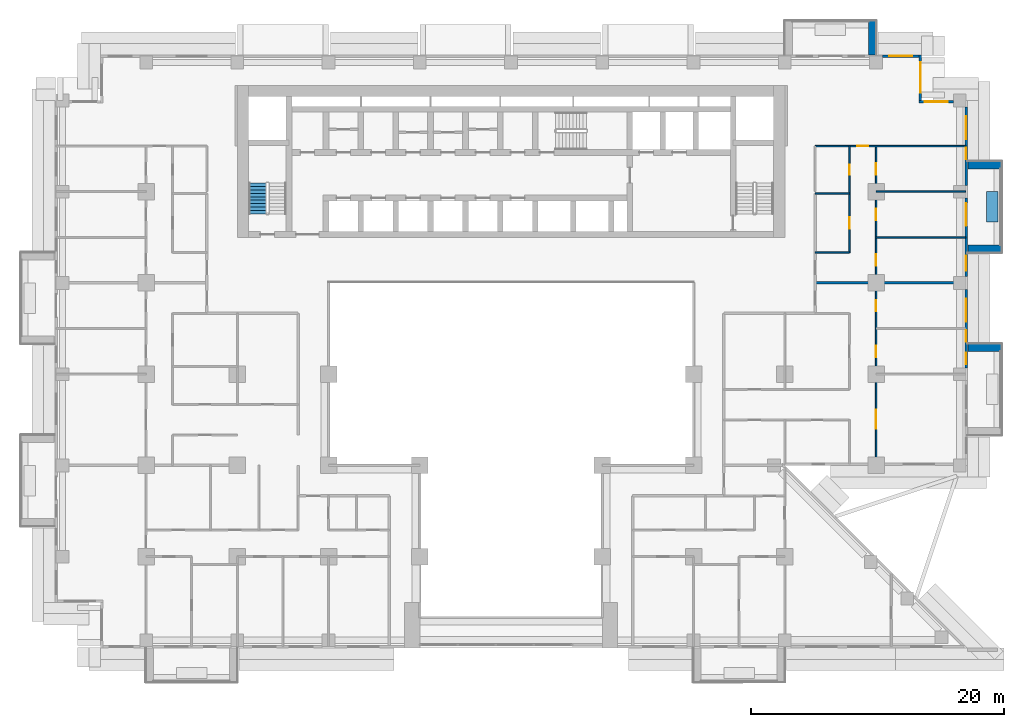
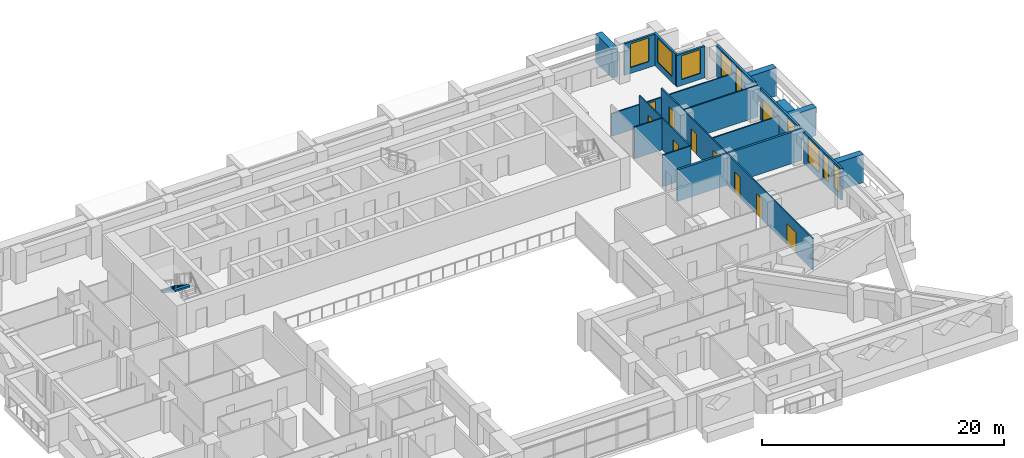
# One storey, part 12 of 17: 19 walls, 10 doors, 9 windows, 1 stair flight, 19 openings, 1 element without a shape of its own.
"""IFC4 building model written with IfcOpenShell, lengths in metres."""

from ifc_helpers import new_model, si_unit, direction, frame, frame_2d, origin, place, context, subcontext, project, spatial, polyline, rectangle, outline, extrude, material, layer, layer_set, type_object, element, fill, aggregate, save


model = new_model("IFC4")

# Units and contexts
model_context = context("Model", 3, precision=1e-05, world=origin(), true_north=direction((0.0, 1.0)))
body_context = subcontext(model_context, "Body", "Model", "MODEL_VIEW")
ifc_project = project(units=[si_unit("LENGTHUNIT", "METRE"), si_unit("AREAUNIT", "SQUARE_METRE"), si_unit("VOLUMEUNIT", "CUBIC_METRE"), si_unit("PLANEANGLEUNIT", "RADIAN"), si_unit("MASSUNIT", "GRAM", prefix="KILO")], contexts=[model_context])

# Site, building, storey
site_placement = place(None, origin())
site = spatial("IfcSite", under=ifc_project, at=site_placement, CompositionType="ELEMENT")
building_placement = place(site_placement, origin())
building = spatial("IfcBuilding", under=site, at=building_placement, Name="Saffron Iwan Residences", CompositionType="ELEMENT")
storey_placement = place(building_placement, frame((0.0, 0.0, 72.5)))
storey = spatial("IfcBuildingStorey", under=building, at=storey_placement, Name="L18", CompositionType="ELEMENT", Elevation=72.5)

# Walls
ifc_material_1 = material(Name="Concrete C50/60 white painted", Category="concrete")
ifc_layer_1 = layer(ifc_material_1, 0.60009765625)
ifc_layer_set_1 = layer_set([ifc_layer_1], Name="Concrete C50/60 white painted")
wall_type_1 = type_object("IfcWallType", Name="BALCONY FIN 600", PredefinedType="SOLIDWALL", material=ifc_layer_set_1)
for number, where, z_axis, x_axis, name in (
    (1, (86.449951171875, 57.300048828125, 0.0), (0.0, 0.0, 1.0), (1.0, 0.0, 0.0), "Balcony fin L18 F2-0b"),
    (2, (86.449951171875, 65.10009765625, 0.0), (0.0, 0.0, 1.0), (1.0, 0.0, 0.0), "Balcony fin L18 F2-1a"),
    (3, (86.449951171875, 71.699951171875, 0.0), (0.0, 0.0, 1.0), (1.0, 0.0, 0.0), "Balcony fin L18 F2-1b"),
):
    element("IfcWall", number, at=place(storey_placement, frame(where, z_axis=z_axis, x_axis=x_axis)), inside=storey, type_object=wall_type_1, Name=name, PredefinedType="SOLIDWALL", context=body_context, shape_type="SweptSolid", body=[
        extrude(rectangle(XDim=2.650146484375, YDim=0.60009765625, at=frame_2d((1.3251953125, 0.0))), origin(), (0.0, 0.0, 1.0), 2.85009765625),
    ])
wall_1_placement = place(storey_placement, frame((78.89990234375, 80.39990234375, 0.0), z_axis=(0.0, 0.0, 1.0), x_axis=(0.0, 1.0, 0.0)))
element("IfcWall", 4, at=wall_1_placement, inside=storey, type_object=wall_type_1, Name="Balcony fin L18 F5-0a", PredefinedType="SOLIDWALL", context=body_context, shape_type="SweptSolid", body=[
    extrude(rectangle(XDim=2.7001953125, YDim=0.60009765625, at=frame_2d((1.35009765625, 0.0))), origin(), (0.0, 0.0, 1.0), 2.85009765625),
])
ifc_material_2 = material(Name="Concrete C35/45 white painted", Category="concrete")
ifc_layer_2 = layer(ifc_material_2, 0.14990234375)
ifc_layer_set_2 = layer_set([ifc_layer_2], Name="Concrete C35/45 white painted")
wall_type_2 = type_object("IfcWallType", Name="BALCONY PLANTER", PredefinedType="SOLIDWALL", material=ifc_layer_set_2)
wall_2_placement = place(storey_placement, frame((88.375, 67.199951171875, 0.0), z_axis=(0.0, 0.0, 1.0), x_axis=(0.0, 1.0, 0.0)))
element("IfcWall", 5, at=wall_2_placement, inside=storey, type_object=wall_type_2, Name="PLANTER L18 F2-1", PredefinedType="SOLIDWALL", context=body_context, shape_type="SweptSolid", body=[
    extrude(rectangle(XDim=2.400146484375, YDim=0.89990234375, at=frame_2d((1.2001953125, 0.0))), origin(), (0.0, 0.0, 1.0), 0.89990234375),
])

# Wall, openings, windows
ifc_material_3 = material(Name="Concrete C40/50", Category="concrete")
ifc_layer_3 = layer(ifc_material_3, 0.199951171875)
ifc_layer_set_3 = layer_set([ifc_layer_3], Name="Concrete C40/50")
wall_type_3 = type_object("IfcWallType", Name="EXTERNAL WALL 200", PredefinedType="SOLIDWALL", material=ifc_layer_set_3)
wall_3_placement = place(storey_placement, frame((86.300048828125, 55.699951171875, 0.0), z_axis=(0.0, 0.0, 1.0), x_axis=(0.0, 1.0, 0.0)))
wall_3 = element("IfcWall", 6, at=wall_3_placement, inside=storey, type_object=wall_type_3, Name="External wall L18 F2.1", PredefinedType="SOLIDWALL", context=body_context, shape_type="SweptSolid", body=[
    extrude(rectangle(XDim=6.199951171875, YDim=0.199951171875, at=frame_2d((3.10009765625, 0.0))), origin(), (0.0, 0.0, 1.0), 3.179931640625),
])
opening_1_placement = place(wall_3_placement, frame((0.300048828125, 0.0, 0.60009765625)))
opening_1 = element("IfcOpeningElement", 7, at=opening_1_placement, cuts=wall_3, Name="Opening W10", PredefinedType="OPENING", context=body_context, shape_type="SweptSolid", body=[
    extrude(rectangle(XDim=0.89990234375, YDim=2.39990234375, at=frame_2d((0.449951171875, 1.199951171875))), frame((0.0, 0.10986328125, 0.0), z_axis=(0.0, -1.0, 0.0), x_axis=(1.0, 0.0, 0.0)), (0.0, 0.0, 1.0), 0.219970703125),
])
opening_2_placement = place(wall_3_placement, frame((2.050048828125, 0.0, 0.60009765625)))
opening_2 = element("IfcOpeningElement", 8, at=opening_2_placement, cuts=wall_3, Name="Opening W10", PredefinedType="OPENING", context=body_context, shape_type="SweptSolid", body=[
    extrude(rectangle(XDim=0.89990234375, YDim=2.39990234375, at=frame_2d((0.449951171875, 1.199951171875))), frame((0.0, 0.10986328125, 0.0), z_axis=(0.0, -1.0, 0.0), x_axis=(1.0, 0.0, 0.0)), (0.0, 0.0, 1.0), 0.219970703125),
])
opening_3_placement = place(wall_3_placement, frame((3.64990234375, 0.0, 0.60009765625)))
opening_3 = element("IfcOpeningElement", 9, at=opening_3_placement, cuts=wall_3, Name="Opening W8", PredefinedType="OPENING", context=body_context, shape_type="SweptSolid", body=[
    extrude(rectangle(XDim=1.800048828125, YDim=2.39990234375, at=frame_2d((0.89990234375, 1.199951171875))), frame((0.0, 0.10986328125, 0.0), z_axis=(0.0, -1.0, 0.0), x_axis=(1.0, 0.0, 0.0)), (0.0, 0.0, 1.0), 0.219970703125),
])
ifc_material_4 = material(Name="Clear glass, laminated double glazed", Category="glass")
window_type_1 = type_object("IfcWindowType", Name="WINDOW 1800 x 2400", PartitioningType="DOUBLE_PANEL_VERTICAL", PredefinedType="WINDOW", material=ifc_material_4)
window_1_placement = place(opening_3_placement, origin())
window_1 = element("IfcWindow", 10, at=window_1_placement, inside=storey, type_object=window_type_1, Name="Window L18 F2.2", OverallHeight=2.39990234375, OverallWidth=1.800048828125, PartitioningType="DOUBLE_PANEL_VERTICAL", PredefinedType="WINDOW", context=body_context, shape_type="SweptSolid", body=[
    extrude(rectangle(XDim=1.800048828125, YDim=2.39990234375, at=frame_2d((0.89990234375, 1.199951171875))), frame((0.0, 0.030029296875, 0.0), z_axis=(0.0, -1.0, 0.0), x_axis=(1.0, 0.0, 0.0)), (0.0, 0.0, 1.0), 0.06005859375),
])
fill(opening_3, window_1)
window_type_2 = type_object("IfcWindowType", Name="WINDOW 900 x 2400", PartitioningType="SINGLE_PANEL", PredefinedType="WINDOW", material=ifc_material_4)
window_2_placement = place(opening_1_placement, origin())
window_2 = element("IfcWindow", 11, at=window_2_placement, inside=storey, type_object=window_type_2, Name="Window L18 F2.0", OverallHeight=2.39990234375, OverallWidth=0.89990234375, PartitioningType="SINGLE_PANEL", PredefinedType="WINDOW", context=body_context, shape_type="SweptSolid", body=[
    extrude(rectangle(XDim=0.89990234375, YDim=2.39990234375, at=frame_2d((0.449951171875, 1.199951171875))), frame((0.0, 0.030029296875, 0.0), z_axis=(0.0, -1.0, 0.0), x_axis=(1.0, 0.0, 0.0)), (0.0, 0.0, 1.0), 0.06005859375),
])
fill(opening_1, window_2)
window_3_placement = place(opening_2_placement, origin())
window_3 = element("IfcWindow", 12, at=window_3_placement, inside=storey, type_object=window_type_2, Name="Window L18 F2.1", OverallHeight=2.39990234375, OverallWidth=0.89990234375, PartitioningType="SINGLE_PANEL", PredefinedType="WINDOW", context=body_context, shape_type="SweptSolid", body=[
    extrude(rectangle(XDim=0.89990234375, YDim=2.39990234375, at=frame_2d((0.449951171875, 1.199951171875))), frame((0.0, 0.030029296875, 0.0), z_axis=(0.0, -1.0, 0.0), x_axis=(1.0, 0.0, 0.0)), (0.0, 0.0, 1.0), 0.06005859375),
])
fill(opening_2, window_3)

# Wall, openings, door, window
wall_4_placement = place(storey_placement, frame((86.300048828125, 62.89990234375, 0.0), z_axis=(0.0, 0.0, 1.0), x_axis=(0.0, 1.0, 0.0)))
wall_4 = element("IfcWall", 13, at=wall_4_placement, inside=storey, type_object=wall_type_3, Name="External wall L18 F2.2", PredefinedType="SOLIDWALL", context=body_context, shape_type="SweptSolid", body=[
    extrude(rectangle(XDim=6.2001953125, YDim=0.199951171875, at=frame_2d((3.10009765625, 0.0))), origin(), (0.0, 0.0, 1.0), 3.179931640625),
])
opening_4_placement = place(wall_4_placement, frame((4.0, 0.0, 0.0)))
opening_4 = element("IfcOpeningElement", 14, at=opening_4_placement, cuts=wall_4, Name="Opening BD1", PredefinedType="OPENING", context=body_context, shape_type="SweptSolid", body=[
    extrude(rectangle(XDim=1.800048828125, YDim=2.39990234375, at=frame_2d((0.89990234375, 1.199951171875))), frame((0.0, 0.10986328125, 0.0), z_axis=(0.0, -1.0, 0.0), x_axis=(1.0, 0.0, 0.0)), (0.0, 0.0, 1.0), 0.219970703125),
])
opening_5_placement = place(wall_4_placement, frame((0.449951171875, 0.0, 0.60009765625)))
opening_5 = element("IfcOpeningElement", 15, at=opening_5_placement, cuts=wall_4, Name="Opening W3", PredefinedType="OPENING", context=body_context, shape_type="SweptSolid", body=[
    extrude(rectangle(XDim=1.199951171875, YDim=2.39990234375, at=frame_2d((0.60009765625, 1.199951171875))), frame((0.0, 0.10986328125, 0.0), z_axis=(0.0, -1.0, 0.0), x_axis=(1.0, 0.0, 0.0)), (0.0, 0.0, 1.0), 0.219970703125),
])
door_type_1 = type_object("IfcDoorType", Name="BALCONY DOOR 1800 x 2400", OperationType="DOUBLE_DOOR_SLIDING", PredefinedType="DOOR", material=ifc_material_4)
door_1_placement = place(opening_4_placement, origin())
door_1 = element("IfcDoor", 16, at=door_1_placement, inside=storey, type_object=door_type_1, Name="Balcony door L18 F2.0", OperationType="DOUBLE_DOOR_SLIDING", OverallHeight=2.39990234375, OverallWidth=1.800048828125, PredefinedType="DOOR", context=body_context, shape_type="SweptSolid", body=[
    extrude(rectangle(XDim=1.800048828125, YDim=2.39990234375, at=frame_2d((0.89990234375, 1.199951171875))), frame((0.0, 0.02490234375, 0.0), z_axis=(0.0, -1.0, 0.0), x_axis=(1.0, 0.0, 0.0)), (0.0, 0.0, 1.0), 0.050048828125),
])
fill(opening_4, door_1)
window_type_3 = type_object("IfcWindowType", Name="WINDOW 1200 x 2400", PartitioningType="SINGLE_PANEL", PredefinedType="WINDOW", material=ifc_material_4)
window_4_placement = place(opening_5_placement, origin())
window_4 = element("IfcWindow", 17, at=window_4_placement, inside=storey, type_object=window_type_3, Name="Window L18 F2.1", OverallHeight=2.39990234375, OverallWidth=1.199951171875, PartitioningType="SINGLE_PANEL", PredefinedType="WINDOW", context=body_context, shape_type="SweptSolid", body=[
    extrude(rectangle(XDim=1.199951171875, YDim=2.39990234375, at=frame_2d((0.60009765625, 1.199951171875))), frame((0.0, 0.030029296875, 0.0), z_axis=(0.0, -1.0, 0.0), x_axis=(1.0, 0.0, 0.0)), (0.0, 0.0, 1.0), 0.06005859375),
])
fill(opening_5, window_4)

# Wall, openings, windows
wall_5_placement = place(storey_placement, frame((86.300048828125, 70.10009765625, 0.0), z_axis=(0.0, 0.0, 1.0), x_axis=(0.0, 1.0, 0.0)))
wall_5 = element("IfcWall", 18, at=wall_5_placement, inside=storey, type_object=wall_type_3, Name="External wall L18 F2.3", PredefinedType="SOLIDWALL", context=body_context, shape_type="SweptSolid", body=[
    extrude(rectangle(XDim=6.199951171875, YDim=0.199951171875, at=frame_2d((3.10009765625, 0.0))), origin(), (0.0, 0.0, 1.0), 3.179931640625),
])
opening_6_placement = place(wall_5_placement, frame((2.050048828125, 0.0, 0.60009765625)))
opening_6 = element("IfcOpeningElement", 19, at=opening_6_placement, cuts=wall_5, Name="Opening W10", PredefinedType="OPENING", context=body_context, shape_type="SweptSolid", body=[
    extrude(rectangle(XDim=0.89990234375, YDim=2.39990234375, at=frame_2d((0.449951171875, 1.199951171875))), frame((0.0, 0.10986328125, 0.0), z_axis=(0.0, -1.0, 0.0), x_axis=(1.0, 0.0, 0.0)), (0.0, 0.0, 1.0), 0.219970703125),
])
opening_7_placement = place(wall_5_placement, frame((3.64990234375, 0.0, 0.60009765625)))
opening_7 = element("IfcOpeningElement", 20, at=opening_7_placement, cuts=wall_5, Name="Opening W8", PredefinedType="OPENING", context=body_context, shape_type="SweptSolid", body=[
    extrude(rectangle(XDim=1.800048828125, YDim=2.39990234375, at=frame_2d((0.89990234375, 1.199951171875))), frame((0.0, 0.10986328125, 0.0), z_axis=(0.0, -1.0, 0.0), x_axis=(1.0, 0.0, 0.0)), (0.0, 0.0, 1.0), 0.219970703125),
])
window_5_placement = place(opening_7_placement, origin())
window_5 = element("IfcWindow", 21, at=window_5_placement, inside=storey, type_object=window_type_1, Name="Window L18 F2.1", OverallHeight=2.39990234375, OverallWidth=1.800048828125, PartitioningType="DOUBLE_PANEL_VERTICAL", PredefinedType="WINDOW", context=body_context, shape_type="SweptSolid", body=[
    extrude(rectangle(XDim=1.800048828125, YDim=2.39990234375, at=frame_2d((0.89990234375, 1.199951171875))), frame((0.0, 0.030029296875, 0.0), z_axis=(0.0, -1.0, 0.0), x_axis=(1.0, 0.0, 0.0)), (0.0, 0.0, 1.0), 0.06005859375),
])
fill(opening_7, window_5)
window_6_placement = place(opening_6_placement, origin())
window_6 = element("IfcWindow", 22, at=window_6_placement, inside=storey, type_object=window_type_2, Name="Window L18 F2.0", OverallHeight=2.39990234375, OverallWidth=0.89990234375, PartitioningType="SINGLE_PANEL", PredefinedType="WINDOW", context=body_context, shape_type="SweptSolid", body=[
    extrude(rectangle(XDim=0.89990234375, YDim=2.39990234375, at=frame_2d((0.449951171875, 1.199951171875))), frame((0.0, 0.030029296875, 0.0), z_axis=(0.0, -1.0, 0.0), x_axis=(1.0, 0.0, 0.0)), (0.0, 0.0, 1.0), 0.06005859375),
])
fill(opening_6, window_6)

# Wall, opening, window
wall_6_placement = place(storey_placement, frame((85.300048828125, 76.699951171875, 0.0), z_axis=(0.0, 0.0, 1.0), x_axis=(-1.0, 0.0, 0.0)))
wall_6 = element("IfcWall", 23, at=wall_6_placement, inside=storey, type_object=wall_type_3, Name="External wall L18 F3.0", PredefinedType="SOLIDWALL", context=body_context, shape_type="SweptSolid", body=[
    extrude(rectangle(XDim=2.699951171875, YDim=0.199951171875, at=frame_2d((1.35009765625, 0.0))), origin(), (0.0, 0.0, 1.0), 3.179931640625),
])
opening_8_placement = place(wall_6_placement, frame((0.449951171875, 0.0, 0.60009765625)))
opening_8 = element("IfcOpeningElement", 24, at=opening_8_placement, cuts=wall_6, Name="Opening W8", PredefinedType="OPENING", context=body_context, shape_type="SweptSolid", body=[
    extrude(rectangle(XDim=1.800048828125, YDim=2.39990234375, at=frame_2d((0.89990234375, 1.199951171875))), frame((0.0, 0.10986328125, 0.0), z_axis=(0.0, -1.0, 0.0), x_axis=(1.0, 0.0, 0.0)), (0.0, 0.0, 1.0), 0.219970703125),
])
window_7_placement = place(opening_8_placement, origin())
window_7 = element("IfcWindow", 25, at=window_7_placement, inside=storey, type_object=window_type_1, Name="Window L18 F3.0", OverallHeight=2.39990234375, OverallWidth=1.800048828125, PartitioningType="DOUBLE_PANEL_VERTICAL", PredefinedType="WINDOW", context=body_context, shape_type="SweptSolid", body=[
    extrude(rectangle(XDim=1.800048828125, YDim=2.39990234375, at=frame_2d((0.89990234375, 1.199951171875))), frame((0.0, 0.030029296875, 0.0), z_axis=(0.0, -1.0, 0.0), x_axis=(1.0, 0.0, 0.0)), (0.0, 0.0, 1.0), 0.06005859375),
])
fill(opening_8, window_7)

wall_7_placement = place(storey_placement, frame((82.699951171875, 76.800048828125, 0.0), z_axis=(0.0, 0.0, 1.0), x_axis=(0.0, 1.0, 0.0)))
wall_7 = element("IfcWall", 26, at=wall_7_placement, inside=storey, type_object=wall_type_3, Name="External wall L18 F4.0", PredefinedType="SOLIDWALL", context=body_context, shape_type="SweptSolid", body=[
    extrude(rectangle(XDim=3.599853515625, YDim=0.199951171875, at=frame_2d((1.7998046875, 0.0))), origin(), (0.0, 0.0, 1.0), 3.179931640625),
])
opening_9_placement = place(wall_7_placement, frame((0.60009765625, 0.0, 0.60009765625)))
opening_9 = element("IfcOpeningElement", 27, at=opening_9_placement, cuts=wall_7, Name="Opening W1", PredefinedType="OPENING", context=body_context, shape_type="SweptSolid", body=[
    extrude(rectangle(XDim=2.39990234375, YDim=2.39990234375, at=frame_2d((1.199951171875, 1.199951171875))), frame((0.0, 0.10986328125, 0.0), z_axis=(0.0, -1.0, 0.0), x_axis=(1.0, 0.0, 0.0)), (0.0, 0.0, 1.0), 0.219970703125),
])
window_type_4 = type_object("IfcWindowType", Name="WINDOW 2400 x 2400", PartitioningType="DOUBLE_PANEL_VERTICAL", PredefinedType="WINDOW", material=ifc_material_4)
window_8_placement = place(opening_9_placement, origin())
window_8 = element("IfcWindow", 28, at=window_8_placement, inside=storey, type_object=window_type_4, Name="Window L18 F4.0", OverallHeight=2.39990234375, OverallWidth=2.39990234375, PartitioningType="DOUBLE_PANEL_VERTICAL", PredefinedType="WINDOW", context=body_context, shape_type="SweptSolid", body=[
    extrude(rectangle(XDim=2.39990234375, YDim=2.39990234375, at=frame_2d((1.199951171875, 1.199951171875))), frame((0.0, 0.030029296875, 0.0), z_axis=(0.0, -1.0, 0.0), x_axis=(1.0, 0.0, 0.0)), (0.0, 0.0, 1.0), 0.06005859375),
])
fill(opening_9, window_8)

wall_8_placement = place(storey_placement, frame((82.60009765625, 80.300048828125, 0.0), z_axis=(0.0, 0.0, 1.0), x_axis=(-1.0, 0.0, 0.0)))
wall_8 = element("IfcWall", 29, at=wall_8_placement, inside=storey, type_object=wall_type_3, Name="External wall L18 F5.0", PredefinedType="SOLIDWALL", context=body_context, shape_type="SweptSolid", body=[
    extrude(rectangle(XDim=2.900146484375, YDim=0.199951171875, at=frame_2d((1.4501953125, 0.0))), origin(), (0.0, 0.0, 1.0), 3.179931640625),
])
opening_10_placement = place(wall_8_placement, frame((0.550048828125, 0.0, 0.60009765625)))
opening_10 = element("IfcOpeningElement", 30, at=opening_10_placement, cuts=wall_8, Name="Opening W8", PredefinedType="OPENING", context=body_context, shape_type="SweptSolid", body=[
    extrude(rectangle(XDim=1.800048828125, YDim=2.39990234375, at=frame_2d((0.89990234375, 1.199951171875))), frame((0.0, 0.10986328125, 0.0), z_axis=(0.0, -1.0, 0.0), x_axis=(1.0, 0.0, 0.0)), (0.0, 0.0, 1.0), 0.219970703125),
])
window_9_placement = place(opening_10_placement, origin())
window_9 = element("IfcWindow", 31, at=window_9_placement, inside=storey, type_object=window_type_1, Name="Window L18 F5.0", OverallHeight=2.39990234375, OverallWidth=1.800048828125, PartitioningType="DOUBLE_PANEL_VERTICAL", PredefinedType="WINDOW", context=body_context, shape_type="SweptSolid", body=[
    extrude(rectangle(XDim=1.800048828125, YDim=2.39990234375, at=frame_2d((0.89990234375, 1.199951171875))), frame((0.0, 0.030029296875, 0.0), z_axis=(0.0, -1.0, 0.0), x_axis=(1.0, 0.0, 0.0)), (0.0, 0.0, 1.0), 0.06005859375),
])
fill(opening_10, window_9)

# Walls
ifc_material_5 = material(Name="Fire-rated gypsum board wall")
ifc_layer_4 = layer(ifc_material_5, 0.199951171875)
ifc_layer_set_4 = layer_set([ifc_layer_4], Name="Fire-rated gypsum board wall")
wall_type_4 = type_object("IfcWallType", Name="Flat demising wall 200", PredefinedType="SOLIDWALL", material=ifc_layer_set_4)
wall_9_placement = place(storey_placement, frame((74.39990234375, 62.39990234375, 0.0), z_axis=(0.0, 0.0, 1.0), x_axis=(1.0, 0.0, 0.0)))
element("IfcWall", 32, at=wall_9_placement, inside=storey, type_object=wall_type_4, Name="W-L18-DEMISE-h62.4-74.4", PredefinedType="SOLIDWALL", context=body_context, shape_type="SweptSolid", body=[
    extrude(rectangle(XDim=11.875, YDim=0.199951171875, at=frame_2d((5.9375, 0.0))), origin(), (0.0, 0.0, 1.0), 3.179931640625),
])
ifc_material_6 = material(Name="Gypsum board partition")
ifc_layer_5 = layer(ifc_material_6, 0.1201171875)
ifc_layer_set_5 = layer_set([ifc_layer_5], Name="Gypsum board partition")
wall_type_5 = type_object("IfcWallType", Name="Flat partition 120", PredefinedType="PARTITIONING", material=ifc_layer_set_5)
wall_10_placement = place(storey_placement, frame((74.39990234375, 64.800048828125, 0.0), z_axis=(0.0, 0.0, 1.0), x_axis=(1.0, 0.0, 0.0)))
element("IfcWall", 33, at=wall_10_placement, inside=storey, type_object=wall_type_5, Name="W-L18-PART-h64.8-74.4", PredefinedType="PARTITIONING", context=body_context, shape_type="SweptSolid", body=[
    extrude(rectangle(XDim=2.7001953125, YDim=0.1201171875, at=frame_2d((1.35009765625, 0.0))), origin(), (0.0, 0.0, 1.0), 3.179931640625),
])
wall_11_placement = place(storey_placement, frame((79.199951171875, 66.0, 0.0), z_axis=(0.0, 0.0, 1.0), x_axis=(1.0, 0.0, 0.0)))
element("IfcWall", 34, at=wall_11_placement, inside=storey, type_object=wall_type_5, Name="W-L18-PART-h66-79.2", PredefinedType="PARTITIONING", context=body_context, shape_type="SweptSolid", body=[
    extrude(rectangle(XDim=7.074951171875, YDim=0.1201171875, at=frame_2d((3.53759765625, 0.0))), origin(), (0.0, 0.0, 1.0), 2.280029296875),
])
wall_12_placement = place(storey_placement, frame((74.39990234375, 69.449951171875, 0.0), z_axis=(0.0, 0.0, 1.0), x_axis=(1.0, 0.0, 0.0)))
element("IfcWall", 35, at=wall_12_placement, inside=storey, type_object=wall_type_5, Name="W-L18-PART-h69.45-74.4", PredefinedType="PARTITIONING", context=body_context, shape_type="SweptSolid", body=[
    extrude(rectangle(XDim=2.7001953125, YDim=0.1201171875, at=frame_2d((1.35009765625, 0.0))), origin(), (0.0, 0.0, 1.0), 3.179931640625),
])
wall_13_placement = place(storey_placement, frame((79.199951171875, 69.60009765625, 0.0), z_axis=(0.0, 0.0, 1.0), x_axis=(1.0, 0.0, 0.0)))
element("IfcWall", 36, at=wall_13_placement, inside=storey, type_object=wall_type_5, Name="W-L18-PART-h69.6-79.2", PredefinedType="PARTITIONING", context=body_context, shape_type="SweptSolid", body=[
    extrude(rectangle(XDim=7.074951171875, YDim=0.1201171875, at=frame_2d((3.53759765625, 0.0))), origin(), (0.0, 0.0, 1.0), 3.179931640625),
])

# Wall, opening, door
wall_14_placement = place(storey_placement, frame((74.39990234375, 73.199951171875, 0.0), z_axis=(0.0, 0.0, 1.0), x_axis=(1.0, 0.0, 0.0)))
wall_14 = element("IfcWall", 37, at=wall_14_placement, inside=storey, type_object=wall_type_5, Name="W-L18-PART-h73.2-74.4", PredefinedType="PARTITIONING", context=body_context, shape_type="SweptSolid", body=[
    extrude(rectangle(XDim=11.875, YDim=0.1201171875, at=frame_2d((5.9375, 0.0))), origin(), (0.0, 0.0, 1.0), 2.280029296875),
])
opening_11_placement = place(wall_14_placement, frame((3.300048828125, 0.0, 0.0)))
opening_11 = element("IfcOpeningElement", 38, at=opening_11_placement, cuts=wall_14, Name="Opening FD2", PredefinedType="OPENING", context=body_context, shape_type="SweptSolid", body=[
    extrude(rectangle(XDim=0.89990234375, YDim=2.10009765625, at=frame_2d((0.449951171875, 1.050048828125))), frame((0.0, 0.070068359375, 0.0), z_axis=(0.0, -1.0, 0.0), x_axis=(1.0, 0.0, 0.0)), (0.0, 0.0, 1.0), 0.14013671875),
])
ifc_material_7 = material(Name="Timber door", Category="wood")
door_type_2 = type_object("IfcDoorType", Name="Flat door 900", OperationType="NOTDEFINED", PredefinedType="DOOR", material=ifc_material_7)
door_2_placement = place(opening_11_placement, origin())
door_2 = element("IfcDoor", 39, at=door_2_placement, inside=storey, type_object=door_type_2, Name="Door L18-040", OperationType="SINGLE_SWING_RIGHT", OverallHeight=2.10009765625, OverallWidth=0.89990234375, PredefinedType="DOOR", context=body_context, shape_type="SweptSolid", body=[
    extrude(rectangle(XDim=0.89990234375, YDim=2.10009765625, at=frame_2d((0.449951171875, 1.050048828125))), frame((0.0, 0.02490234375, 0.0), z_axis=(0.0, -1.0, 0.0), x_axis=(1.0, 0.0, 0.0)), (0.0, 0.0, 1.0), 0.050048828125),
])
fill(opening_11, door_2)

# Wall, openings, doors
wall_15_placement = place(storey_placement, frame((77.10009765625, 64.800048828125, 0.0), z_axis=(0.0, 0.0, 1.0), x_axis=(0.0, 1.0, 0.0)))
wall_15 = element("IfcWall", 40, at=wall_15_placement, inside=storey, type_object=wall_type_5, Name="W-L18-PART-v77.1-64.8", PredefinedType="PARTITIONING", context=body_context, shape_type="SweptSolid", body=[
    extrude(rectangle(XDim=8.39990234375, YDim=0.1201171875, at=frame_2d((4.199951171875, 0.0))), origin(), (0.0, 0.0, 1.0), 3.179931640625),
])
opening_12_placement = place(wall_15_placement, frame((1.875, 0.0, 0.0)))
opening_12 = element("IfcOpeningElement", 41, at=opening_12_placement, cuts=wall_15, Name="Opening FD2", PredefinedType="OPENING", context=body_context, shape_type="SweptSolid", body=[
    extrude(rectangle(XDim=0.89990234375, YDim=2.10009765625, at=frame_2d((0.449951171875, 1.050048828125))), frame((0.0, 0.070068359375, 0.0), z_axis=(0.0, -1.0, 0.0), x_axis=(1.0, 0.0, 0.0)), (0.0, 0.0, 1.0), 0.14013671875),
])
opening_13_placement = place(wall_15_placement, frame((6.125, 0.0, 0.0)))
opening_13 = element("IfcOpeningElement", 42, at=opening_13_placement, cuts=wall_15, Name="Opening FD3", PredefinedType="OPENING", context=body_context, shape_type="SweptSolid", body=[
    extrude(rectangle(XDim=0.800048828125, YDim=2.10009765625, at=frame_2d((0.39990234375, 1.050048828125))), frame((0.0, 0.070068359375, 0.0), z_axis=(0.0, -1.0, 0.0), x_axis=(1.0, 0.0, 0.0)), (0.0, 0.0, 1.0), 0.14013671875),
])
door_type_3 = type_object("IfcDoorType", Name="Bathroom door 800", OperationType="NOTDEFINED", PredefinedType="DOOR", material=ifc_material_7)
door_3_placement = place(opening_13_placement, origin())
door_3 = element("IfcDoor", 43, at=door_3_placement, inside=storey, type_object=door_type_3, Name="Door L18-042", OperationType="SINGLE_SWING_LEFT", OverallHeight=2.10009765625, OverallWidth=0.800048828125, PredefinedType="DOOR", context=body_context, shape_type="SweptSolid", body=[
    extrude(rectangle(XDim=0.800048828125, YDim=2.10009765625, at=frame_2d((0.39990234375, 1.050048828125))), frame((0.0, 0.02490234375, 0.0), z_axis=(0.0, -1.0, 0.0), x_axis=(1.0, 0.0, 0.0)), (0.0, 0.0, 1.0), 0.050048828125),
])
fill(opening_13, door_3)
door_4_placement = place(opening_12_placement, origin())
door_4 = element("IfcDoor", 44, at=door_4_placement, inside=storey, type_object=door_type_2, Name="Door L18-041", OperationType="SINGLE_SWING_LEFT", OverallHeight=2.10009765625, OverallWidth=0.89990234375, PredefinedType="DOOR", context=body_context, shape_type="SweptSolid", body=[
    extrude(rectangle(XDim=0.89990234375, YDim=2.10009765625, at=frame_2d((0.449951171875, 1.050048828125))), frame((0.0, 0.02490234375, 0.0), z_axis=(0.0, -1.0, 0.0), x_axis=(1.0, 0.0, 0.0)), (0.0, 0.0, 1.0), 0.050048828125),
])
fill(opening_12, door_4)

wall_16_placement = place(storey_placement, frame((79.199951171875, 48.125, 0.0), z_axis=(0.0, 0.0, 1.0), x_axis=(0.0, 1.0, 0.0)))
wall_16 = element("IfcWall", 45, at=wall_16_placement, inside=storey, type_object=wall_type_5, Name="W-L18-PART-v79.2-48.125", PredefinedType="PARTITIONING", context=body_context, shape_type="SweptSolid", body=[
    extrude(rectangle(XDim=25.074951171875, YDim=0.1201171875, at=frame_2d((12.53759765625, 0.0))), origin(), (0.0, 0.0, 1.0), 3.179931640625),
])
opening_14_placement = place(wall_16_placement, frame((2.78759765625, 0.0, 0.0)))
opening_14 = element("IfcOpeningElement", 46, at=opening_14_placement, cuts=wall_16, Name="Opening FD4", PredefinedType="OPENING", context=body_context, shape_type="SweptSolid", body=[
    extrude(rectangle(XDim=1.5, YDim=2.10009765625, at=frame_2d((0.75, 1.050048828125))), frame((0.0, 0.070068359375, 0.0), z_axis=(0.0, -1.0, 0.0), x_axis=(1.0, 0.0, 0.0)), (0.0, 0.0, 1.0), 0.14013671875),
])
opening_15_placement = place(wall_16_placement, frame((8.425048828125, 0.0, 0.0)))
opening_15 = element("IfcOpeningElement", 47, at=opening_15_placement, cuts=wall_16, Name="Opening FD2", PredefinedType="OPENING", context=body_context, shape_type="SweptSolid", body=[
    extrude(rectangle(XDim=0.89990234375, YDim=2.10009765625, at=frame_2d((0.449951171875, 1.050048828125))), frame((0.0, 0.070068359375, 0.0), z_axis=(0.0, -1.0, 0.0), x_axis=(1.0, 0.0, 0.0)), (0.0, 0.0, 1.0), 0.14013671875),
])
opening_16_placement = place(wall_16_placement, frame((12.02490234375, 0.0, 0.0)))
opening_16 = element("IfcOpeningElement", 48, at=opening_16_placement, cuts=wall_16, Name="Opening FD2", PredefinedType="OPENING", context=body_context, shape_type="SweptSolid", body=[
    extrude(rectangle(XDim=0.89990234375, YDim=2.10009765625, at=frame_2d((0.449951171875, 1.050048828125))), frame((0.0, 0.070068359375, 0.0), z_axis=(0.0, -1.0, 0.0), x_axis=(1.0, 0.0, 0.0)), (0.0, 0.0, 1.0), 0.14013671875),
])
opening_17_placement = place(wall_16_placement, frame((15.625, 0.0, 0.0)))
opening_17 = element("IfcOpeningElement", 49, at=opening_17_placement, cuts=wall_16, Name="Opening FD2", PredefinedType="OPENING", context=body_context, shape_type="SweptSolid", body=[
    extrude(rectangle(XDim=0.89990234375, YDim=2.10009765625, at=frame_2d((0.449951171875, 1.050048828125))), frame((0.0, 0.070068359375, 0.0), z_axis=(0.0, -1.0, 0.0), x_axis=(1.0, 0.0, 0.0)), (0.0, 0.0, 1.0), 0.14013671875),
])
opening_18_placement = place(wall_16_placement, frame((19.22509765625, 0.0, 0.0)))
opening_18 = element("IfcOpeningElement", 50, at=opening_18_placement, cuts=wall_16, Name="Opening FD2", PredefinedType="OPENING", context=body_context, shape_type="SweptSolid", body=[
    extrude(rectangle(XDim=0.89990234375, YDim=2.10009765625, at=frame_2d((0.449951171875, 1.050048828125))), frame((0.0, 0.070068359375, 0.0), z_axis=(0.0, -1.0, 0.0), x_axis=(1.0, 0.0, 0.0)), (0.0, 0.0, 1.0), 0.14013671875),
])
opening_19_placement = place(wall_16_placement, frame((22.824951171875, 0.0, 0.0)))
opening_19 = element("IfcOpeningElement", 51, at=opening_19_placement, cuts=wall_16, Name="Opening FD2", PredefinedType="OPENING", context=body_context, shape_type="SweptSolid", body=[
    extrude(rectangle(XDim=0.89990234375, YDim=2.10009765625, at=frame_2d((0.449951171875, 1.050048828125))), frame((0.0, 0.070068359375, 0.0), z_axis=(0.0, -1.0, 0.0), x_axis=(1.0, 0.0, 0.0)), (0.0, 0.0, 1.0), 0.14013671875),
])
door_type_4 = type_object("IfcDoorType", Name="Double door 1500", OperationType="NOTDEFINED", PredefinedType="DOOR", material=ifc_material_7)
door_5_placement = place(opening_14_placement, origin())
door_5 = element("IfcDoor", 52, at=door_5_placement, inside=storey, type_object=door_type_4, Name="Door L18-022", OperationType="SINGLE_SWING_RIGHT", OverallHeight=2.10009765625, OverallWidth=1.5, PredefinedType="DOOR", context=body_context, shape_type="SweptSolid", body=[
    extrude(rectangle(XDim=1.5, YDim=2.10009765625, at=frame_2d((0.75, 1.050048828125))), frame((0.0, 0.02490234375, 0.0), z_axis=(0.0, -1.0, 0.0), x_axis=(1.0, 0.0, 0.0)), (0.0, 0.0, 1.0), 0.050048828125),
])
fill(opening_14, door_5)
door_6_placement = place(opening_15_placement, origin())
door_6 = element("IfcDoor", 53, at=door_6_placement, inside=storey, type_object=door_type_2, Name="Door L18-023", OperationType="SINGLE_SWING_LEFT", OverallHeight=2.10009765625, OverallWidth=0.89990234375, PredefinedType="DOOR", context=body_context, shape_type="SweptSolid", body=[
    extrude(rectangle(XDim=0.89990234375, YDim=2.10009765625, at=frame_2d((0.449951171875, 1.050048828125))), frame((0.0, 0.02490234375, 0.0), z_axis=(0.0, -1.0, 0.0), x_axis=(1.0, 0.0, 0.0)), (0.0, 0.0, 1.0), 0.050048828125),
])
fill(opening_15, door_6)
door_7_placement = place(opening_16_placement, origin())
door_7 = element("IfcDoor", 54, at=door_7_placement, inside=storey, type_object=door_type_2, Name="Door L18-024", OperationType="SINGLE_SWING_LEFT", OverallHeight=2.10009765625, OverallWidth=0.89990234375, PredefinedType="DOOR", context=body_context, shape_type="SweptSolid", body=[
    extrude(rectangle(XDim=0.89990234375, YDim=2.10009765625, at=frame_2d((0.449951171875, 1.050048828125))), frame((0.0, 0.02490234375, 0.0), z_axis=(0.0, -1.0, 0.0), x_axis=(1.0, 0.0, 0.0)), (0.0, 0.0, 1.0), 0.050048828125),
])
fill(opening_16, door_7)
door_8_placement = place(opening_17_placement, origin())
door_8 = element("IfcDoor", 55, at=door_8_placement, inside=storey, type_object=door_type_2, Name="Door L18-037", OperationType="SINGLE_SWING_RIGHT", OverallHeight=2.10009765625, OverallWidth=0.89990234375, PredefinedType="DOOR", context=body_context, shape_type="SweptSolid", body=[
    extrude(rectangle(XDim=0.89990234375, YDim=2.10009765625, at=frame_2d((0.449951171875, 1.050048828125))), frame((0.0, 0.02490234375, 0.0), z_axis=(0.0, -1.0, 0.0), x_axis=(1.0, 0.0, 0.0)), (0.0, 0.0, 1.0), 0.050048828125),
])
fill(opening_17, door_8)
door_9_placement = place(opening_18_placement, origin())
door_9 = element("IfcDoor", 56, at=door_9_placement, inside=storey, type_object=door_type_2, Name="Door L18-038", OperationType="SINGLE_SWING_LEFT", OverallHeight=2.10009765625, OverallWidth=0.89990234375, PredefinedType="DOOR", context=body_context, shape_type="SweptSolid", body=[
    extrude(rectangle(XDim=0.89990234375, YDim=2.10009765625, at=frame_2d((0.449951171875, 1.050048828125))), frame((0.0, 0.02490234375, 0.0), z_axis=(0.0, -1.0, 0.0), x_axis=(1.0, 0.0, 0.0)), (0.0, 0.0, 1.0), 0.050048828125),
])
fill(opening_18, door_9)
door_10_placement = place(opening_19_placement, origin())
door_10 = element("IfcDoor", 57, at=door_10_placement, inside=storey, type_object=door_type_2, Name="Door L18-039", OperationType="SINGLE_SWING_LEFT", OverallHeight=2.10009765625, OverallWidth=0.89990234375, PredefinedType="DOOR", context=body_context, shape_type="SweptSolid", body=[
    extrude(rectangle(XDim=0.89990234375, YDim=2.10009765625, at=frame_2d((0.449951171875, 1.050048828125))), frame((0.0, 0.02490234375, 0.0), z_axis=(0.0, -1.0, 0.0), x_axis=(1.0, 0.0, 0.0)), (0.0, 0.0, 1.0), 0.050048828125),
])
fill(opening_19, door_10)

# Stair, stair flight
ifc_material_8 = material(Name="Concrete C50/60", Category="concrete")
stair_type = type_object("IfcStairType", Name="Stair ST-CORE", PredefinedType="HALF_TURN_STAIR", material=ifc_material_8)
stair_placement = place(storey_placement, origin())
stair = element("IfcStair", 58, at=stair_placement, inside=storey, type_object=stair_type, Name="L18 Exit Stair ST-W", PredefinedType="HALF_TURN_STAIR")
ifc_layer_6 = layer(ifc_material_8, 0.14990234375)
ifc_layer_set_6 = layer_set([ifc_layer_6], Name="Concrete C50/60")
stair_flight_type = type_object("IfcStairFlightType", Name="Stair flight SFL-RC", PredefinedType="STRAIGHT", material=ifc_layer_set_6)
stair_flight_placement = place(storey_placement, frame((30.39990234375, 70.280029296875, 1.75), z_axis=(0.0, 0.0, 1.0), x_axis=(0.0, -1.0, 0.0)))
stair_flight = element("IfcStairFlight", 59, at=stair_flight_placement, type_object=stair_flight_type, Name="ST-W flight 2", NumberOfRisers=10, NumberOfTreads=9, PredefinedType="STRAIGHT", RiserHeight=0.175, TreadLength=0.27, context=body_context, shape_type="SweptSolid", body=[
    extrude(outline(polyline([(0.0, 0.0), (0.0, 0.175048828125), (0.27001953125, 0.175048828125), (0.27001953125, 0.35009765625), (0.5400390625, 0.35009765625), (0.5400390625, 0.52490234375), (0.81005859375, 0.52490234375), (0.81005859375, 0.699951171875), (1.080078125, 0.699951171875), (1.080078125, 0.875), (1.35009765625, 0.875), (1.35009765625, 1.050048828125), (1.6201171875, 1.050048828125), (1.6201171875, 1.22509765625), (1.889892578125, 1.22509765625), (1.889892578125, 1.39990234375), (2.159912109375, 1.39990234375), (2.159912109375, 1.574951171875), (2.429931640625, 1.574951171875), (2.429931640625, 1.75), (2.429931640625, 1.396484375), (0.275634765625, 0.0), (0.0, 0.0)])), frame((0.0, 0.699951171875, 0.0), z_axis=(0.0, -1.0, 0.0), x_axis=(1.0, 0.0, 0.0)), (0.0, 0.0, 1.0), 1.39990234375),
])
aggregate(stair, [stair_flight])

save(model, "model.ifc")
